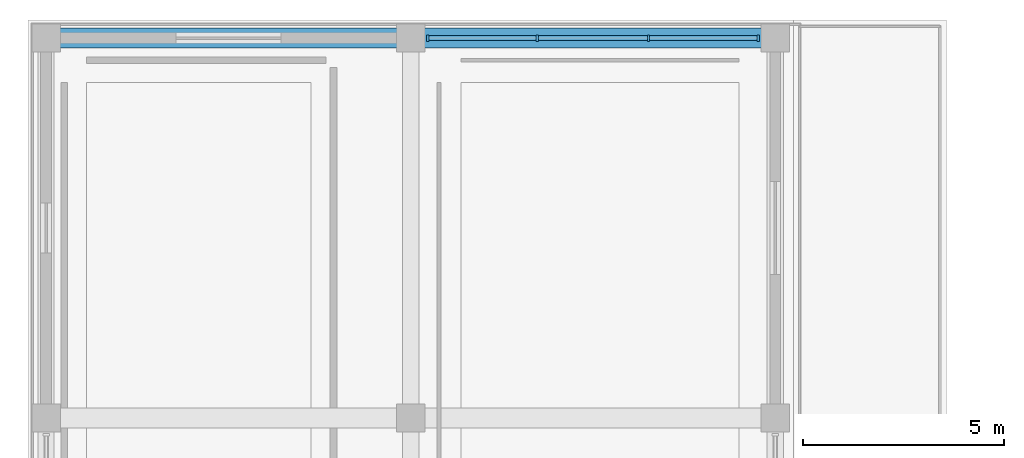
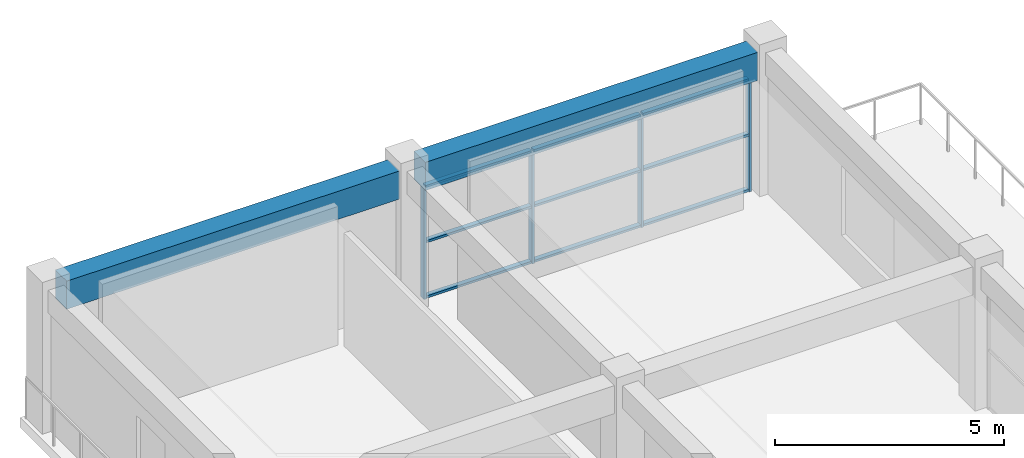
# One storey, part 37 of 70: 13 members, 2 beams, 1 element without a shape of its own.
"""IFC4 building model written with IfcOpenShell, lengths in metres."""

import ifcopenshell
import ifcopenshell.guid

model = None  # the IFC model being written
_history = None  # IfcOwnerHistory: only IFC2X3 demands one
_inside = {}  # id of a spatial element -> (the spatial element, [elements in it])
_under = {}  # id of a project, library or spatial element -> (it, [spatial elements below it])
_declared = {}  # id of a project -> (the project, [libraries it declares])
_typed = {}  # id of a type object -> (the type object, [elements of that type])
_made_of = {}  # id of a material, layer set ... -> (it, [elements and type objects made of it])


def new_model(schema):
    """Start an empty IFC model of exactly this schema.

    Asked for "IFC4X3", IfcOpenShell would pick the latest addendum, in which some entities
    have other attributes; the version numbers below select the first issue.
    IFC2X3 requires an IfcOwnerHistory on every rooted entity: one is made here for all.
    """
    global model, _history
    if schema == "IFC4X3":
        model = ifcopenshell.file(schema_version=(4, 3, 0, 0))
    else:
        model = ifcopenshell.file(schema=schema)
    _inside.clear()
    _under.clear()
    _declared.clear()
    _typed.clear()
    _made_of.clear()
    _history = None
    if model.schema == "IFC2X3":
        org = make("IfcOrganization", Name="unknown")
        user = make(
            "IfcPersonAndOrganization",
            ThePerson=make("IfcPerson", FamilyName="unknown"),
            TheOrganization=org,
        )
        app = make(
            "IfcApplication",
            ApplicationDeveloper=org,
            Version="unknown",
            ApplicationFullName="unknown",
            ApplicationIdentifier="unknown",
        )
        _history = make(
            "IfcOwnerHistory",
            OwningUser=user,
            OwningApplication=app,
            ChangeAction="ADDED",
            CreationDate=0,
        )
    return model


def make(cls, **values):
    """One entity of the class cls with the attributes given. An attribute that is None is left unset."""
    return model.create_entity(
        cls, **{name: value for name, value in values.items() if value is not None}
    )


def rooted(cls, **values):
    """An entity with a GlobalId (a new one), such as an element, a storey or a relation."""
    return make(cls, GlobalId=ifcopenshell.guid.new(), OwnerHistory=_history, **values)


def si_unit(unit_type, name, prefix=None):
    """IfcSIUnit, for example si_unit("LENGTHUNIT", "METRE", prefix="MILLI")."""
    return make("IfcSIUnit", UnitType=unit_type, Prefix=prefix, Name=name)


def assignment(units):
    """IfcUnitAssignment: the units of a project."""
    return None if units is None else make("IfcUnitAssignment", Units=units)


def point(xyz):
    """IfcCartesianPoint."""
    return None if xyz is None else make("IfcCartesianPoint", Coordinates=xyz)


def direction(xyz):
    """IfcDirection."""
    return None if xyz is None else make("IfcDirection", DirectionRatios=xyz)


def frame(location, z_axis=None, x_axis=None):
    """IfcAxis2Placement3D, a coordinate frame: its origin and axes. An axis left out is left unset."""
    return make(
        "IfcAxis2Placement3D",
        Location=point(location),
        Axis=direction(z_axis),
        RefDirection=direction(x_axis),
    )


def frame_2d(location, x_axis=None):
    """IfcAxis2Placement2D, a coordinate frame in the plane: its origin and x axis."""
    return make(
        "IfcAxis2Placement2D", Location=point(location), RefDirection=direction(x_axis)
    )


def origin():
    """The frame at (0, 0, 0) with its axes left unset."""
    return frame((0.0, 0.0, 0.0))


def origin_2d():
    """The frame at (0, 0) in the plane with its x axis left unset."""
    return frame_2d((0.0, 0.0))


def place(relative_to, where):
    """IfcLocalPlacement: puts the frame where relative to a parent placement (None: the world)."""
    return make(
        "IfcLocalPlacement", PlacementRelTo=relative_to, RelativePlacement=where
    )


def context(
    kind, dimensions, precision=None, world=None, true_north=None, identifier=None
):
    """IfcGeometricRepresentationContext, for example the 3D "Model" context."""
    return make(
        "IfcGeometricRepresentationContext",
        ContextIdentifier=identifier,
        ContextType=kind,
        CoordinateSpaceDimension=dimensions,
        Precision=precision,
        WorldCoordinateSystem=world,
        TrueNorth=true_north,
    )


def subcontext(parent, identifier, kind, view, scale=None):
    """IfcGeometricRepresentationSubContext, for example "Body" below "Model"."""
    return make(
        "IfcGeometricRepresentationSubContext",
        ContextIdentifier=identifier,
        ContextType=kind,
        ParentContext=parent,
        TargetScale=scale,
        TargetView=view,
    )


def project(units=None, contexts=None):
    """IfcProject with its units and contexts."""
    return rooted(
        "IfcProject",
        Name="project",
        RepresentationContexts=contexts,
        UnitsInContext=assignment(units),
    )


def spatial(cls, under=None, at=None, **own):
    """A site, building, storey or space (cls), placed at a placement, below another one or the project."""
    s = rooted(cls, ObjectPlacement=at, **own)
    if under is not None:
        _under.setdefault(under.id(), (under, []))[1].append(s)
    return s


def profile(cls, at=None, kind="AREA", **sizes):
    """A parametric profile (cls). Its sizes go by their IFC names, for example OverallWidth=200.0."""
    return make(cls, ProfileType=kind, Position=at, **sizes)


def rectangle(**sizes):
    """IfcRectangleProfileDef."""
    return profile("IfcRectangleProfileDef", **sizes)


def extrude(swept, where, along, depth):
    """IfcExtrudedAreaSolid: the profile swept, set in the frame where, extruded along a direction by depth."""
    return make(
        "IfcExtrudedAreaSolid",
        SweptArea=swept,
        Position=where,
        ExtrudedDirection=direction(along),
        Depth=depth,
    )


def shape(context_of_items, identifier, shape_type, items):
    """IfcShapeRepresentation: the items that make up one representation, for example the "Body"."""
    return make(
        "IfcShapeRepresentation",
        ContextOfItems=context_of_items,
        RepresentationIdentifier=identifier,
        RepresentationType=shape_type,
        Items=items,
    )


def material(Name=None, Category=None):
    """IfcMaterial."""
    return make("IfcMaterial", Name=Name, Category=Category)


def material_profile(
    of_material, cross_section, Name=None, Category=None, Priority=None
):
    """IfcMaterialProfile: a cross section and its material."""
    return make(
        "IfcMaterialProfile",
        Name=Name,
        Material=of_material,
        Profile=cross_section,
        Priority=Priority,
        Category=Category,
    )


def profile_set(profiles, Name=None, composite=None):
    """IfcMaterialProfileSet."""
    return make(
        "IfcMaterialProfileSet",
        Name=Name,
        MaterialProfiles=profiles,
        CompositeProfile=composite,
    )


def made_of(thing, what):
    """Note that an element or type object is made of a material, layer set ...; save() writes the relation."""
    if what is not None:
        _made_of.setdefault(what.id(), (what, []))[1].append(thing)
    return thing


def type_object(cls, material=None, **own):
    """A type object (cls), such as IfcWallType, which elements share."""
    return made_of(rooted(cls, **own), material)


def element(
    cls,
    number,
    at=None,
    inside=None,
    cuts=None,
    type_object=None,
    material=None,
    context=None,
    identifier="Body",
    shape_type=None,
    held_by="IfcProductDefinitionShape",
    body=None,
    shapes=None,
    **own,
):
    """One element of the class cls, such as IfcWall. Its Tag is "e" and its number.

    at: its placement. inside: the storey or other place that contains it. cuts: it is an
    opening in that element (IfcRelVoidsElement). A single representation is given by context,
    identifier, shape_type and body (its items); several are given by shapes. held_by: the class
    of the entity that holds the representations. save() writes the other relations.
    """
    e = rooted(cls, Tag="e%d" % number, ObjectPlacement=at, **own)
    if body is not None:
        shapes = [shape(context, identifier, shape_type, body)]
    if shapes is not None:
        e.Representation = make(held_by, Representations=shapes)
    if inside is not None:
        _inside.setdefault(inside.id(), (inside, []))[1].append(e)
    if cuts is not None:
        rooted(
            "IfcRelVoidsElement", RelatingBuildingElement=cuts, RelatedOpeningElement=e
        )
    if type_object is not None:
        _typed.setdefault(type_object.id(), (type_object, []))[1].append(e)
    return made_of(e, material)


def aggregate(whole, parts):
    """IfcRelAggregates: a whole, such as a stair, and the parts it consists of."""
    return rooted("IfcRelAggregates", RelatingObject=whole, RelatedObjects=parts)


def save(model, path):
    """Write the relations noted so far, then the file.

    IfcRelAggregates (storeys below a building ...), IfcRelContainedInSpatialStructure (elements
    in a storey), IfcRelDefinesByType, IfcRelAssociatesMaterial and IfcRelDeclares: one each for
    every whole, place, type object, material and project.
    """
    for whole, parts in _under.values():
        aggregate(whole, parts)
    for where, things in _inside.values():
        rooted(
            "IfcRelContainedInSpatialStructure",
            RelatedElements=things,
            RelatingStructure=where,
        )
    for kind, things in _typed.values():
        rooted("IfcRelDefinesByType", RelatedObjects=things, RelatingType=kind)
    for what, things in _made_of.values():
        rooted("IfcRelAssociatesMaterial", RelatedObjects=things, RelatingMaterial=what)
    for by, libraries in _declared.values():
        rooted("IfcRelDeclares", RelatingContext=by, RelatedDefinitions=libraries)
    model.write(path)


model = new_model("IFC4")

# Units and contexts
model_context = context("Model", 3, precision=1e-05, world=origin(), true_north=direction((0.0, 1.0)))
body_context = subcontext(model_context, "Body", "Model", "MODEL_VIEW")
ifc_project = project(units=[si_unit("LENGTHUNIT", "METRE"), si_unit("AREAUNIT", "SQUARE_METRE"), si_unit("VOLUMEUNIT", "CUBIC_METRE"), si_unit("PLANEANGLEUNIT", "RADIAN"), si_unit("MASSUNIT", "GRAM", prefix="KILO")], contexts=[model_context])

# Site, building, storey
site_placement = place(None, origin())
site = spatial("IfcSite", under=ifc_project, at=site_placement, CompositionType="ELEMENT")
building_placement = place(site_placement, origin())
building = spatial("IfcBuilding", under=site, at=building_placement, Name="Saryqyr Civic Hall", CompositionType="ELEMENT")
storey_placement = place(building_placement, frame((0.0, 0.0, 13.199951171875)))
storey = spatial("IfcBuildingStorey", under=building, at=storey_placement, Name="L03", CompositionType="ELEMENT", Elevation=13.199951171875)

# Curtain wall, members
ifc_material_1 = material(Name="Anodised aluminium and triple low-E glass", Category="aluminium")
curtain_wall_type = type_object("IfcCurtainWallType", Name="ENV-CW-STD-51", PredefinedType="NOTDEFINED", material=ifc_material_1)
curtain_wall_placement = place(storey_placement, origin())
curtain_wall = element("IfcCurtainWall", 1, at=curtain_wall_placement, inside=storey, type_object=curtain_wall_type, Name="Curtain wall V3-CW-L03-2-1", PredefinedType="NOTDEFINED")
ifc_material_2 = material(Name="Anodised aluminium", Category="aluminium")
ifc_material_profile_1 = material_profile(ifc_material_2, rectangle(XDim=0.06005859375, YDim=0.159912109375, at=origin_2d()), Name="ALU MULLION 60x160")
ifc_profile_set_1 = profile_set([ifc_material_profile_1], Name="Anodised aluminium")
member_type_1 = type_object("IfcMemberType", Name="ENV-CW-MUL-180", PredefinedType="MULLION", material=ifc_profile_set_1)
member_1_placement = place(storey_placement, frame((17.52001953125, 165.14990234375, 0.0), z_axis=(0.0, 0.0, 1.0), x_axis=(1.0, 0.0, 0.0)))
member_1 = element("IfcMember", 2, at=member_1_placement, type_object=member_type_1, Name="CW-51 mullion 1", PredefinedType="MULLION", context=body_context, shape_type="SweptSolid", body=[
    extrude(rectangle(XDim=0.06005859375, YDim=0.159912109375, at=origin_2d()), origin(), (0.0, 0.0, 1.0), 3.01513671875),
])
member_2_placement = place(storey_placement, frame((20.24658203125, 165.14990234375, 0.0), z_axis=(0.0, 0.0, 1.0), x_axis=(1.0, 0.0, 0.0)))
member_2 = element("IfcMember", 3, at=member_2_placement, type_object=member_type_1, Name="CW-51 mullion 2", PredefinedType="MULLION", context=body_context, shape_type="SweptSolid", body=[
    extrude(rectangle(XDim=0.06005859375, YDim=0.159912109375, at=origin_2d()), origin(), (0.0, 0.0, 1.0), 3.01513671875),
])
member_3_placement = place(storey_placement, frame((23.00341796875, 165.14990234375, 0.0), z_axis=(0.0, 0.0, 1.0), x_axis=(1.0, 0.0, 0.0)))
member_3 = element("IfcMember", 4, at=member_3_placement, type_object=member_type_1, Name="CW-51 mullion 3", PredefinedType="MULLION", context=body_context, shape_type="SweptSolid", body=[
    extrude(rectangle(XDim=0.06005859375, YDim=0.159912109375, at=origin_2d()), origin(), (0.0, 0.0, 1.0), 3.01513671875),
])
member_4_placement = place(storey_placement, frame((25.72998046875, 165.14990234375, 0.0), z_axis=(0.0, 0.0, 1.0), x_axis=(1.0, 0.0, 0.0)))
member_4 = element("IfcMember", 5, at=member_4_placement, type_object=member_type_1, Name="CW-51 mullion 4", PredefinedType="MULLION", context=body_context, shape_type="SweptSolid", body=[
    extrude(rectangle(XDim=0.06005859375, YDim=0.159912109375, at=origin_2d()), origin(), (0.0, 0.0, 1.0), 3.01513671875),
])
ifc_material_profile_2 = material_profile(ifc_material_2, rectangle(XDim=0.1201171875, YDim=0.06005859375, at=origin_2d()), Name="ALU TRANSOM 120x60")
ifc_profile_set_2 = profile_set([ifc_material_profile_2], Name="Anodised aluminium")
member_type_2 = type_object("IfcMemberType", Name="ENV-CW-TRN-150", PredefinedType="USERDEFINED", material=ifc_profile_set_2)
member_5_placement = place(storey_placement, frame((17.550048828125, 165.14990234375, 0.030029296875), z_axis=(1.0, 0.0, 0.0), x_axis=(0.0, 1.0, 0.0)))
member_5 = element("IfcMember", 6, at=member_5_placement, type_object=member_type_2, Name="CW-51 transom 1.1", ObjectType="TRANSOM", PredefinedType="USERDEFINED", context=body_context, shape_type="SweptSolid", body=[
    extrude(rectangle(XDim=0.1201171875, YDim=0.06005859375, at=origin_2d()), origin(), (0.0, 0.0, 1.0), 2.66650390625),
])
member_6_placement = place(storey_placement, frame((17.550048828125, 165.14990234375, 1.507080078125), z_axis=(1.0, 0.0, 0.0), x_axis=(0.0, 1.0, 0.0)))
member_6 = element("IfcMember", 7, at=member_6_placement, type_object=member_type_2, Name="CW-51 transom 1.2", ObjectType="TRANSOM", PredefinedType="USERDEFINED", context=body_context, shape_type="SweptSolid", body=[
    extrude(rectangle(XDim=0.1201171875, YDim=0.06005859375, at=origin_2d()), origin(), (0.0, 0.0, 1.0), 2.66650390625),
])
member_7_placement = place(storey_placement, frame((17.550048828125, 165.14990234375, 2.985107421875), z_axis=(1.0, 0.0, 0.0), x_axis=(0.0, 1.0, 0.0)))
member_7 = element("IfcMember", 8, at=member_7_placement, type_object=member_type_2, Name="CW-51 transom 1.3", ObjectType="TRANSOM", PredefinedType="USERDEFINED", context=body_context, shape_type="SweptSolid", body=[
    extrude(rectangle(XDim=0.1201171875, YDim=0.06005859375, at=origin_2d()), origin(), (0.0, 0.0, 1.0), 2.66650390625),
])
member_8_placement = place(storey_placement, frame((20.276611328125, 165.14990234375, 0.030029296875), z_axis=(1.0, 0.0, 0.0), x_axis=(0.0, 1.0, 0.0)))
member_8 = element("IfcMember", 9, at=member_8_placement, type_object=member_type_2, Name="CW-51 transom 2.1", ObjectType="TRANSOM", PredefinedType="USERDEFINED", context=body_context, shape_type="SweptSolid", body=[
    extrude(rectangle(XDim=0.1201171875, YDim=0.06005859375, at=origin_2d()), origin(), (0.0, 0.0, 1.0), 2.69677734375),
])
member_9_placement = place(storey_placement, frame((20.276611328125, 165.14990234375, 1.507080078125), z_axis=(1.0, 0.0, 0.0), x_axis=(0.0, 1.0, 0.0)))
member_9 = element("IfcMember", 10, at=member_9_placement, type_object=member_type_2, Name="CW-51 transom 2.2", ObjectType="TRANSOM", PredefinedType="USERDEFINED", context=body_context, shape_type="SweptSolid", body=[
    extrude(rectangle(XDim=0.1201171875, YDim=0.06005859375, at=origin_2d()), origin(), (0.0, 0.0, 1.0), 2.69677734375),
])
member_10_placement = place(storey_placement, frame((20.276611328125, 165.14990234375, 2.985107421875), z_axis=(1.0, 0.0, 0.0), x_axis=(0.0, 1.0, 0.0)))
member_10 = element("IfcMember", 11, at=member_10_placement, type_object=member_type_2, Name="CW-51 transom 2.3", ObjectType="TRANSOM", PredefinedType="USERDEFINED", context=body_context, shape_type="SweptSolid", body=[
    extrude(rectangle(XDim=0.1201171875, YDim=0.06005859375, at=origin_2d()), origin(), (0.0, 0.0, 1.0), 2.69677734375),
])
member_11_placement = place(storey_placement, frame((23.033447265625, 165.14990234375, 0.030029296875), z_axis=(1.0, 0.0, 0.0), x_axis=(0.0, 1.0, 0.0)))
member_11 = element("IfcMember", 12, at=member_11_placement, type_object=member_type_2, Name="CW-51 transom 3.1", ObjectType="TRANSOM", PredefinedType="USERDEFINED", context=body_context, shape_type="SweptSolid", body=[
    extrude(rectangle(XDim=0.1201171875, YDim=0.06005859375, at=origin_2d()), origin(), (0.0, 0.0, 1.0), 2.66650390625),
])
member_12_placement = place(storey_placement, frame((23.033447265625, 165.14990234375, 1.507080078125), z_axis=(1.0, 0.0, 0.0), x_axis=(0.0, 1.0, 0.0)))
member_12 = element("IfcMember", 13, at=member_12_placement, type_object=member_type_2, Name="CW-51 transom 3.2", ObjectType="TRANSOM", PredefinedType="USERDEFINED", context=body_context, shape_type="SweptSolid", body=[
    extrude(rectangle(XDim=0.1201171875, YDim=0.06005859375, at=origin_2d()), origin(), (0.0, 0.0, 1.0), 2.66650390625),
])
member_13_placement = place(storey_placement, frame((23.033447265625, 165.14990234375, 2.985107421875), z_axis=(1.0, 0.0, 0.0), x_axis=(0.0, 1.0, 0.0)))
member_13 = element("IfcMember", 14, at=member_13_placement, type_object=member_type_2, Name="CW-51 transom 3.3", ObjectType="TRANSOM", PredefinedType="USERDEFINED", context=body_context, shape_type="SweptSolid", body=[
    extrude(rectangle(XDim=0.1201171875, YDim=0.06005859375, at=origin_2d()), origin(), (0.0, 0.0, 1.0), 2.66650390625),
])
aggregate(curtain_wall, [member_1, member_2, member_3, member_4, member_5, member_6, member_7, member_8, member_9, member_10, member_11, member_12, member_13])

# Beams
ifc_material_3 = material(Name="Concrete C40/50", Category="concrete")
ifc_material_profile_3 = material_profile(ifc_material_3, rectangle(XDim=0.5, YDim=0.75, at=origin_2d()), Name="RC 500x750")
ifc_profile_set_3 = profile_set([ifc_material_profile_3], Name="Concrete C40/50")
beam_type = type_object("IfcBeamType", Name="STR-BM-RC500x750", PredefinedType="BEAM", material=ifc_profile_set_3)
for number, where, z_axis, x_axis, name in (
    (15, (8.375, 165.14990234375, 3.4150390625), (1.0, 0.0, 0.0), (0.0, 1.0, 0.0), "Beam V3-BM-EW-8-1-L03"),
    (16, (17.425048828125, 165.14990234375, 3.4150390625), (1.0, 0.0, 0.0), (0.0, 1.0, 0.0), "Beam V3-BM-EW-8-2-L03"),
):
    element("IfcBeam", number, at=place(storey_placement, frame(where, z_axis=z_axis, x_axis=x_axis)), inside=storey, type_object=beam_type, Name=name, PredefinedType="BEAM", context=body_context, shape_type="SweptSolid", body=[
        extrude(rectangle(XDim=0.5, YDim=0.75, at=origin_2d()), origin(), (0.0, 0.0, 1.0), 8.39990234375),
    ])

save(model, "model.ifc")
